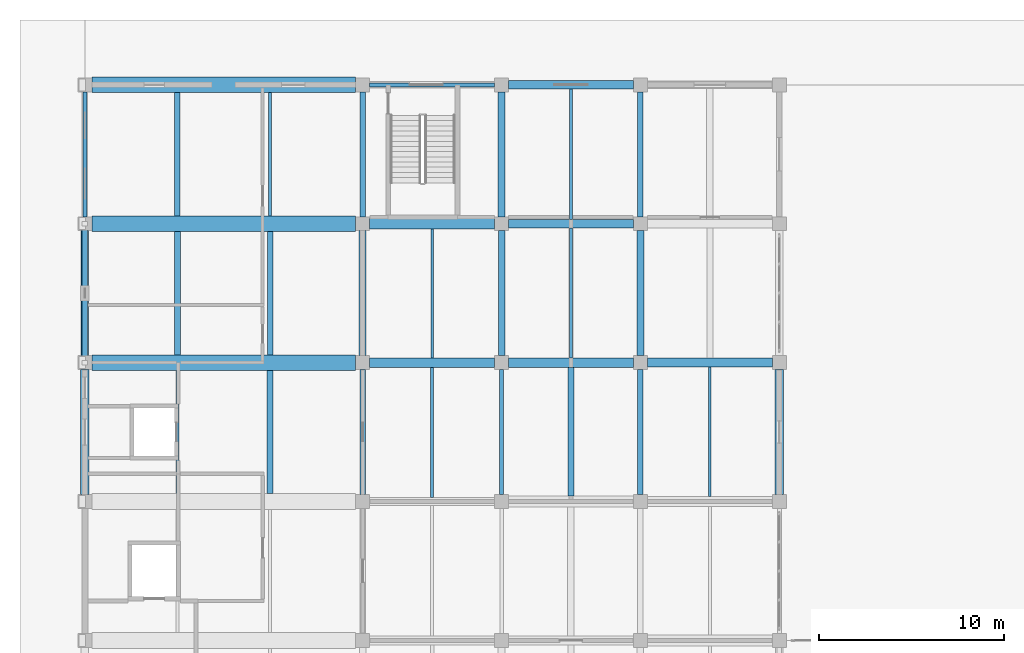
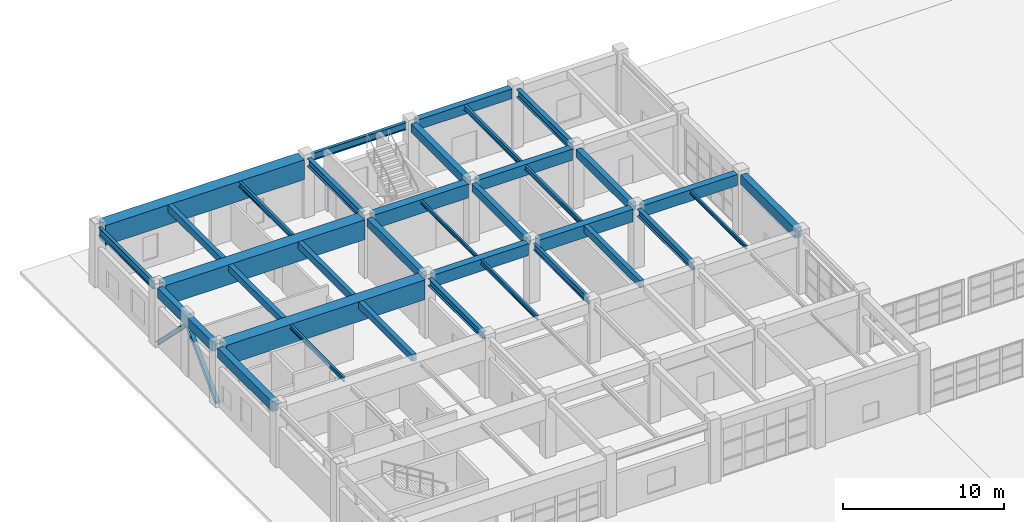
# One storey, part 41 of 122: 35 beams, 2 members.
"""IFC4 building model written with IfcOpenShell, lengths in metres."""

from ifc_helpers import new_model, si_unit, direction, frame, origin, origin_2d, place, context, subcontext, project, spatial, rectangle, i_section, extrude, material, material_profile, profile_set, type_object, element, save


model = new_model("IFC4")

# Units and contexts
model_context = context("Model", 3, precision=1e-05, world=origin(), true_north=direction((0.0, 1.0)))
body_context = subcontext(model_context, "Body", "Model", "MODEL_VIEW")
ifc_project = project(units=[si_unit("LENGTHUNIT", "METRE"), si_unit("AREAUNIT", "SQUARE_METRE"), si_unit("VOLUMEUNIT", "CUBIC_METRE"), si_unit("PLANEANGLEUNIT", "RADIAN"), si_unit("MASSUNIT", "GRAM", prefix="KILO")], contexts=[model_context])

# Site, building, storey
site_placement = place(None, origin())
site = spatial("IfcSite", under=ifc_project, at=site_placement, CompositionType="ELEMENT")
building_placement = place(site_placement, origin())
building = spatial("IfcBuilding", under=site, at=building_placement, Name="Qasida Concert Hall", CompositionType="ELEMENT")
storey_placement = place(building_placement, origin())
storey = spatial("IfcBuildingStorey", under=building, at=storey_placement, Name="L00", CompositionType="ELEMENT", Elevation=0.0)

# Beams
ifc_material_1 = material(Name="Concrete C40/50", Category="concrete")
ifc_material_profile_1 = material_profile(ifc_material_1, rectangle(XDim=0.39990234375, YDim=0.64990234375, at=origin_2d()), Name="RC 400x650")
ifc_profile_set_1 = profile_set([ifc_material_profile_1], Name="Concrete C40/50")
beam_type_1 = type_object("IfcBeamType", Name="BM-B1", PredefinedType="BEAM", material=ifc_profile_set_1)
beam_1_placement = place(storey_placement, frame((22.5, 105.375, 4.175048828125), z_axis=(0.0, 1.0, 0.0), x_axis=(-1.0, 0.0, 0.0)))
element("IfcBeam", 1, at=beam_1_placement, inside=storey, type_object=beam_type_1, Name="L00 girder 0726", PredefinedType="BEAM", context=body_context, shape_type="SweptSolid", body=[
    extrude(rectangle(XDim=0.39990234375, YDim=0.64990234375, at=origin_2d()), origin(), (0.0, 0.0, 1.0), 6.75),
])
ifc_material_profile_2 = material_profile(ifc_material_1, rectangle(XDim=0.3798828125, YDim=0.6201171875, at=origin_2d()), Name="RC 380x620")
ifc_profile_set_2 = profile_set([ifc_material_profile_2], Name="Concrete C40/50")
beam_type_2 = type_object("IfcBeamType", Name="BM-B10", PredefinedType="BEAM", material=ifc_profile_set_2)
for number, where, z_axis, x_axis, name in (
    (2, (15.0, 97.875, 4.18994140625), (0.0, 1.0, 0.0), (-1.0, 0.0, 0.0), "L00 girder 0720"),
    (3, (30.0, 97.875, 4.18994140625), (0.0, 1.0, 0.0), (-1.0, 0.0, 0.0), "L00 girder 0730"),
):
    element("IfcBeam", number, at=place(storey_placement, frame(where, z_axis=z_axis, x_axis=x_axis)), inside=storey, type_object=beam_type_2, Name=name, PredefinedType="BEAM", context=body_context, shape_type="SweptSolid", body=[
        extrude(rectangle(XDim=0.3798828125, YDim=0.6201171875, at=origin_2d()), origin(), (0.0, 0.0, 1.0), 6.75),
    ])
ifc_material_2 = material(Name="Steel S355J2", Category="steel")
ifc_material_profile_3 = material_profile(ifc_material_2, i_section(OverallWidth=0.300048828125, OverallDepth=0.550048828125, WebThickness=0.014892578125, FlangeThickness=0.029052734375, FilletRadius=0.027099609375, at=origin_2d()), Name="HEB 550")
ifc_profile_set_3 = profile_set([ifc_material_profile_3], Name="Steel S355J2")
beam_type_3 = type_object("IfcBeamType", Name="BM-B12", PredefinedType="BEAM", material=ifc_profile_set_3)
for number, where, z_axis, x_axis, name in (
    (4, (15.0, 90.375, 4.22509765625), (0.0, 1.0, 0.0), (-1.0, 0.0, 0.0), "L00 girder 0719"),
    (5, (30.0, 90.375, 4.22509765625), (0.0, 1.0, 0.0), (-1.0, 0.0, 0.0), "L00 girder 0729"),
):
    element("IfcBeam", number, at=place(storey_placement, frame(where, z_axis=z_axis, x_axis=x_axis)), inside=storey, type_object=beam_type_3, Name=name, PredefinedType="BEAM", context=body_context, shape_type="SweptSolid", body=[
        extrude(i_section(OverallWidth=0.300048828125, OverallDepth=0.550048828125, WebThickness=0.014892578125, FlangeThickness=0.029052734375, FilletRadius=0.027099609375, at=origin_2d()), origin(), (0.0, 0.0, 1.0), 6.75),
    ])
ifc_material_profile_4 = material_profile(ifc_material_1, rectangle(XDim=0.35009765625, YDim=0.60009765625, at=origin_2d()), Name="RC 350x600")
ifc_profile_set_4 = profile_set([ifc_material_profile_4], Name="Concrete C40/50")
beam_type_4 = type_object("IfcBeamType", Name="BM-B2", PredefinedType="BEAM", material=ifc_profile_set_4)
beam_2_placement = place(storey_placement, frame((22.5, 97.875, 4.199951171875), z_axis=(0.0, 1.0, 0.0), x_axis=(-1.0, 0.0, 0.0)))
element("IfcBeam", 6, at=beam_2_placement, inside=storey, type_object=beam_type_4, Name="L00 girder 0725", PredefinedType="BEAM", context=body_context, shape_type="SweptSolid", body=[
    extrude(rectangle(XDim=0.35009765625, YDim=0.60009765625, at=origin_2d()), origin(), (0.0, 0.0, 1.0), 6.75),
])
ifc_material_profile_5 = material_profile(ifc_material_2, i_section(OverallWidth=0.199951171875, OverallDepth=0.5, WebThickness=0.01025390625, FlangeThickness=0.01611328125, FilletRadius=0.02099609375, at=origin_2d()), Name="IPE 500")
ifc_profile_set_5 = profile_set([ifc_material_profile_5], Name="Steel S355J2")
beam_type_5 = type_object("IfcBeamType", Name="BM-B4", PredefinedType="BEAM", material=ifc_profile_set_5)
beam_3_placement = place(storey_placement, frame((22.5, 90.375, 4.25), z_axis=(0.0, 1.0, 0.0), x_axis=(-1.0, 0.0, 0.0)))
element("IfcBeam", 7, at=beam_3_placement, inside=storey, type_object=beam_type_5, Name="L00 girder 0724", PredefinedType="BEAM", context=body_context, shape_type="SweptSolid", body=[
    extrude(i_section(OverallWidth=0.199951171875, OverallDepth=0.5, WebThickness=0.01025390625, FlangeThickness=0.01611328125, FilletRadius=0.02099609375, at=origin_2d()), origin(), (0.0, 0.0, 1.0), 6.75),
])
ifc_material_profile_6 = material_profile(ifc_material_2, i_section(OverallWidth=0.300048828125, OverallDepth=0.60009765625, WebThickness=0.015380859375, FlangeThickness=0.030029296875, FilletRadius=0.027099609375, at=origin_2d()), Name="HEB 600")
ifc_profile_set_6 = profile_set([ifc_material_profile_6], Name="Steel S355J2")
beam_type_6 = type_object("IfcBeamType", Name="BM-B6", PredefinedType="BEAM", material=ifc_profile_set_6)
for number, where, z_axis, x_axis, name in (
    (8, (15.0, 105.375, 4.199951171875), (0.0, 1.0, 0.0), (-1.0, 0.0, 0.0), "L00 girder 0721"),
    (9, (30.0, 105.375, 4.199951171875), (0.0, 1.0, 0.0), (-1.0, 0.0, 0.0), "L00 girder 0731"),
):
    element("IfcBeam", number, at=place(storey_placement, frame(where, z_axis=z_axis, x_axis=x_axis)), inside=storey, type_object=beam_type_6, Name=name, PredefinedType="BEAM", context=body_context, shape_type="SweptSolid", body=[
        extrude(i_section(OverallWidth=0.300048828125, OverallDepth=0.60009765625, WebThickness=0.015380859375, FlangeThickness=0.030029296875, FilletRadius=0.027099609375, at=origin_2d()), origin(), (0.0, 0.0, 1.0), 6.75),
    ])
ifc_material_profile_7 = material_profile(ifc_material_1, rectangle(XDim=0.5, YDim=0.89990234375, at=origin_2d()), Name="RC 500x900")
ifc_profile_set_7 = profile_set([ifc_material_profile_7], Name="Concrete C40/50")
beam_type_7 = type_object("IfcBeamType", Name="BM-G1", PredefinedType="USERDEFINED", material=ifc_profile_set_7)
beam_4_placement = place(storey_placement, frame((15.375, 97.5, 4.050048828125), z_axis=(1.0, 0.0, 0.0), x_axis=(0.0, 1.0, 0.0)))
element("IfcBeam", 10, at=beam_4_placement, inside=storey, type_object=beam_type_7, Name="Primary girder 0701", ObjectType="GIRDER", PredefinedType="USERDEFINED", context=body_context, shape_type="SweptSolid", body=[
    extrude(rectangle(XDim=0.5, YDim=0.89990234375, at=origin_2d()), origin(), (0.0, 0.0, 1.0), 6.75),
])
ifc_material_profile_8 = material_profile(ifc_material_1, rectangle(XDim=0.47998046875, YDim=0.85009765625, at=origin_2d()), Name="RC 480x850")
ifc_profile_set_8 = profile_set([ifc_material_profile_8], Name="Concrete C40/50")
beam_type_8 = type_object("IfcBeamType", Name="BM-G6", PredefinedType="USERDEFINED", material=ifc_profile_set_8)
for number, where, z_axis, x_axis, name in (
    (11, (30.375, 97.5, 4.074951171875), (1.0, 0.0, 0.0), (0.0, 1.0, 0.0), "Primary girder 0703"),
    (12, (22.875, 105.0, 4.074951171875), (1.0, 0.0, 0.0), (0.0, 1.0, 0.0), "Primary girder 0706"),
):
    element("IfcBeam", number, at=place(storey_placement, frame(where, z_axis=z_axis, x_axis=x_axis)), inside=storey, type_object=beam_type_8, Name=name, ObjectType="GIRDER", PredefinedType="USERDEFINED", context=body_context, shape_type="SweptSolid", body=[
        extrude(rectangle(XDim=0.47998046875, YDim=0.85009765625, at=origin_2d()), origin(), (0.0, 0.0, 1.0), 6.75),
    ])
ifc_material_profile_9 = material_profile(ifc_material_1, rectangle(XDim=0.52001953125, YDim=0.949951171875, at=origin_2d()), Name="RC 520x950")
ifc_profile_set_9 = profile_set([ifc_material_profile_9], Name="Concrete C40/50")
beam_type_9 = type_object("IfcBeamType", Name="BM-G7", PredefinedType="USERDEFINED", material=ifc_profile_set_9)
beam_5_placement = place(storey_placement, frame((22.875, 97.5, 4.02490234375), z_axis=(1.0, 0.0, 0.0), x_axis=(0.0, 1.0, 0.0)))
element("IfcBeam", 13, at=beam_5_placement, inside=storey, type_object=beam_type_9, Name="Primary girder 0702", ObjectType="GIRDER", PredefinedType="USERDEFINED", context=body_context, shape_type="SweptSolid", body=[
    extrude(rectangle(XDim=0.52001953125, YDim=0.949951171875, at=origin_2d()), origin(), (0.0, 0.0, 1.0), 6.75),
])
ifc_material_3 = material(Name="Concrete C50/60", Category="concrete")
ifc_material_profile_10 = material_profile(ifc_material_3, rectangle(XDim=0.580078125, YDim=1.050048828125, at=origin_2d()), Name="RC 580x1050")
ifc_profile_set_10 = profile_set([ifc_material_profile_10], Name="Concrete C50/60")
beam_type_10 = type_object("IfcBeamType", Name="BM-G8", PredefinedType="USERDEFINED", material=ifc_profile_set_10)
beam_6_placement = place(storey_placement, frame((15.375, 105.0, 3.97509765625), z_axis=(1.0, 0.0, 0.0), x_axis=(0.0, 1.0, 0.0)))
element("IfcBeam", 14, at=beam_6_placement, inside=storey, type_object=beam_type_10, Name="Primary girder 0705", ObjectType="GIRDER", PredefinedType="USERDEFINED", context=body_context, shape_type="SweptSolid", body=[
    extrude(rectangle(XDim=0.580078125, YDim=1.050048828125, at=origin_2d()), origin(), (0.0, 0.0, 1.0), 6.75),
])
ifc_material_profile_11 = material_profile(ifc_material_1, rectangle(XDim=0.300048828125, YDim=0.550048828125, at=origin_2d()), Name="RC 300x550")
ifc_profile_set_11 = profile_set([ifc_material_profile_11], Name="Concrete C40/50")
beam_type_11 = type_object("IfcBeamType", Name="BM-J1", PredefinedType="JOIST", material=ifc_profile_set_11)
for number, where, z_axis, x_axis, name in (
    (15, (10.0, 97.925048828125, 4.22509765625), (0.0, 1.0, 0.0), (-1.0, 0.0, 0.0), "L00 secondary joist 0743"),
    (16, (5.0, 105.425048828125, 4.22509765625), (0.0, 1.0, 0.0), (-1.0, 0.0, 0.0), "L00 secondary joist 0744"),
):
    element("IfcBeam", number, at=place(storey_placement, frame(where, z_axis=z_axis, x_axis=x_axis)), inside=storey, type_object=beam_type_11, Name=name, PredefinedType="JOIST", context=body_context, shape_type="SweptSolid", body=[
        extrude(rectangle(XDim=0.300048828125, YDim=0.550048828125, at=origin_2d()), origin(), (0.0, 0.0, 1.0), 6.64990234375),
    ])
beam_7_placement = place(storey_placement, frame((26.25, 90.2900390625, 4.22509765625), z_axis=(0.0, 1.0, 0.0), x_axis=(-1.0, 0.0, 0.0)))
element("IfcBeam", 17, at=beam_7_placement, inside=storey, type_object=beam_type_11, Name="L00 secondary joist 0752", PredefinedType="JOIST", context=body_context, shape_type="SweptSolid", body=[
    extrude(rectangle(XDim=0.300048828125, YDim=0.550048828125, at=origin_2d()), origin(), (0.0, 0.0, 1.0), 6.949951171875),
])
ifc_material_profile_12 = material_profile(ifc_material_2, i_section(OverallWidth=0.169921875, OverallDepth=0.360107421875, WebThickness=0.008056640625, FlangeThickness=0.0126953125, FilletRadius=0.01806640625, at=origin_2d()), Name="IPE 360")
ifc_profile_set_12 = profile_set([ifc_material_profile_12], Name="Steel S355J2")
beam_type_12 = type_object("IfcBeamType", Name="BM-J2", PredefinedType="JOIST", material=ifc_profile_set_12)
beam_8_placement = place(storey_placement, frame((26.25, 97.760009765625, 4.320068359375), z_axis=(0.0, 1.0, 0.0), x_axis=(-1.0, 0.0, 0.0)))
element("IfcBeam", 18, at=beam_8_placement, inside=storey, type_object=beam_type_12, Name="L00 secondary joist 0753", PredefinedType="JOIST", context=body_context, shape_type="SweptSolid", body=[
    extrude(i_section(OverallWidth=0.169921875, OverallDepth=0.360107421875, WebThickness=0.008056640625, FlangeThickness=0.0126953125, FilletRadius=0.01806640625, at=origin_2d()), origin(), (0.0, 0.0, 1.0), 7.0),
])
ifc_material_profile_13 = material_profile(ifc_material_2, i_section(OverallWidth=0.179931640625, OverallDepth=0.39990234375, WebThickness=0.008544921875, FlangeThickness=0.013427734375, FilletRadius=0.02099609375, at=origin_2d()), Name="IPE 400")
ifc_profile_set_13 = profile_set([ifc_material_profile_13], Name="Steel S355J2")
beam_type_13 = type_object("IfcBeamType", Name="BM-J3", PredefinedType="JOIST", material=ifc_profile_set_13)
beam_9_placement = place(storey_placement, frame((10.0, 105.425048828125, 4.300048828125), z_axis=(0.0, 1.0, 0.0), x_axis=(-1.0, 0.0, 0.0)))
element("IfcBeam", 19, at=beam_9_placement, inside=storey, type_object=beam_type_13, Name="L00 secondary joist 0745", PredefinedType="JOIST", context=body_context, shape_type="SweptSolid", body=[
    extrude(i_section(OverallWidth=0.179931640625, OverallDepth=0.39990234375, WebThickness=0.008544921875, FlangeThickness=0.013427734375, FilletRadius=0.02099609375, at=origin_2d()), origin(), (0.0, 0.0, 1.0), 6.64990234375),
])
beam_10_placement = place(storey_placement, frame((26.25, 105.239990234375, 4.300048828125), z_axis=(0.0, 1.0, 0.0), x_axis=(-1.0, 0.0, 0.0)))
element("IfcBeam", 20, at=beam_10_placement, inside=storey, type_object=beam_type_13, Name="L00 secondary joist 0754", PredefinedType="JOIST", context=body_context, shape_type="SweptSolid", body=[
    extrude(i_section(OverallWidth=0.179931640625, OverallDepth=0.39990234375, WebThickness=0.008544921875, FlangeThickness=0.013427734375, FilletRadius=0.02099609375, at=origin_2d()), origin(), (0.0, 0.0, 1.0), 7.034912109375),
])
ifc_material_profile_14 = material_profile(ifc_material_2, i_section(OverallWidth=0.159912109375, OverallDepth=0.330078125, WebThickness=0.007568359375, FlangeThickness=0.011474609375, FilletRadius=0.01806640625, at=origin_2d()), Name="IPE 330")
ifc_profile_set_14 = profile_set([ifc_material_profile_14], Name="Steel S355J2")
beam_type_14 = type_object("IfcBeamType", Name="BM-J5", PredefinedType="JOIST", material=ifc_profile_set_14)
beam_11_placement = place(storey_placement, frame((5.0, 90.425048828125, 4.3349609375), z_axis=(0.0, 1.0, 0.0), x_axis=(-1.0, 0.0, 0.0)))
element("IfcBeam", 21, at=beam_11_placement, inside=storey, type_object=beam_type_14, Name="L00 secondary joist 0740", PredefinedType="JOIST", context=body_context, shape_type="SweptSolid", body=[
    extrude(i_section(OverallWidth=0.159912109375, OverallDepth=0.330078125, WebThickness=0.007568359375, FlangeThickness=0.011474609375, FilletRadius=0.01806640625, at=origin_2d()), origin(), (0.0, 0.0, 1.0), 6.64990234375),
])
beam_12_placement = place(storey_placement, frame((18.75, 90.22509765625, 4.3349609375), z_axis=(0.0, 1.0, 0.0), x_axis=(-1.0, 0.0, 0.0)))
element("IfcBeam", 22, at=beam_12_placement, inside=storey, type_object=beam_type_14, Name="L00 secondary joist 0748", PredefinedType="JOIST", context=body_context, shape_type="SweptSolid", body=[
    extrude(i_section(OverallWidth=0.159912109375, OverallDepth=0.330078125, WebThickness=0.007568359375, FlangeThickness=0.011474609375, FilletRadius=0.01806640625, at=origin_2d()), origin(), (0.0, 0.0, 1.0), 7.02490234375),
])
ifc_material_profile_15 = material_profile(ifc_material_2, i_section(OverallWidth=0.135009765625, OverallDepth=0.27001953125, WebThickness=0.006591796875, FlangeThickness=0.01025390625, FilletRadius=0.014892578125, at=origin_2d()), Name="IPE 270")
ifc_profile_set_15 = profile_set([ifc_material_profile_15], Name="Steel S355J2")
beam_type_15 = type_object("IfcBeamType", Name="BM-J6", PredefinedType="JOIST", material=ifc_profile_set_15)
beam_13_placement = place(storey_placement, frame((18.75, 97.75, 4.364990234375), z_axis=(0.0, 1.0, 0.0), x_axis=(-1.0, 0.0, 0.0)))
element("IfcBeam", 23, at=beam_13_placement, inside=storey, type_object=beam_type_15, Name="L00 secondary joist 0749", PredefinedType="JOIST", context=body_context, shape_type="SweptSolid", body=[
    extrude(i_section(OverallWidth=0.135009765625, OverallDepth=0.27001953125, WebThickness=0.006591796875, FlangeThickness=0.01025390625, FilletRadius=0.014892578125, at=origin_2d()), origin(), (0.0, 0.0, 1.0), 6.9599609375),
])
beam_14_placement = place(storey_placement, frame((33.75, 90.260009765625, 4.364990234375), z_axis=(0.0, 1.0, 0.0), x_axis=(-1.0, 0.0, 0.0)))
element("IfcBeam", 24, at=beam_14_placement, inside=storey, type_object=beam_type_15, Name="L00 secondary joist 0757", PredefinedType="JOIST", context=body_context, shape_type="SweptSolid", body=[
    extrude(i_section(OverallWidth=0.135009765625, OverallDepth=0.27001953125, WebThickness=0.006591796875, FlangeThickness=0.01025390625, FilletRadius=0.014892578125, at=origin_2d()), origin(), (0.0, 0.0, 1.0), 7.0),
])
ifc_material_profile_16 = material_profile(ifc_material_1, rectangle(XDim=0.320068359375, YDim=0.5, at=origin_2d()), Name="RC 320x500")
ifc_profile_set_16 = profile_set([ifc_material_profile_16], Name="Concrete C40/50")
beam_type_16 = type_object("IfcBeamType", Name="BM-J7", PredefinedType="JOIST", material=ifc_profile_set_16)
for number, where, z_axis, x_axis, name in (
    (25, (10.0, 90.425048828125, 4.25), (0.0, 1.0, 0.0), (-1.0, 0.0, 0.0), "L00 secondary joist 0741"),
    (26, (5.0, 97.925048828125, 4.25), (0.0, 1.0, 0.0), (-1.0, 0.0, 0.0), "L00 secondary joist 0742"),
):
    element("IfcBeam", number, at=place(storey_placement, frame(where, z_axis=z_axis, x_axis=x_axis)), inside=storey, type_object=beam_type_16, Name=name, PredefinedType="JOIST", context=body_context, shape_type="SweptSolid", body=[
        extrude(rectangle(XDim=0.320068359375, YDim=0.5, at=origin_2d()), origin(), (0.0, 0.0, 1.0), 6.64990234375),
    ])
ifc_material_profile_17 = material_profile(ifc_material_1, rectangle(XDim=0.39990234375, YDim=0.75, at=origin_2d()), Name="RC 400x750")
ifc_profile_set_17 = profile_set([ifc_material_profile_17], Name="Concrete C40/50")
beam_type_17 = type_object("IfcBeamType", Name="BM-SP1", PredefinedType="SPANDREL", material=ifc_profile_set_17)
beam_15_placement = place(storey_placement, frame((0.0, 97.875, 4.125), z_axis=(0.0, 1.0, 0.0), x_axis=(-1.0, 0.0, 0.0)))
element("IfcBeam", 27, at=beam_15_placement, inside=storey, type_object=beam_type_17, Name="L00 girder 0715", PredefinedType="SPANDREL", context=body_context, shape_type="SweptSolid", body=[
    extrude(rectangle(XDim=0.39990234375, YDim=0.75, at=origin_2d()), origin(), (0.0, 0.0, 1.0), 6.75),
])
ifc_material_profile_18 = material_profile(ifc_material_2, i_section(OverallWidth=0.2099609375, OverallDepth=0.550048828125, WebThickness=0.010986328125, FlangeThickness=0.01708984375, FilletRadius=0.02392578125, at=origin_2d()), Name="IPE 550")
ifc_profile_set_18 = profile_set([ifc_material_profile_18], Name="Steel S355J2")
beam_type_18 = type_object("IfcBeamType", Name="BM-SP2", PredefinedType="SPANDREL", material=ifc_profile_set_18)
beam_16_placement = place(storey_placement, frame((15.375, 112.5, 4.22509765625), z_axis=(1.0, 0.0, 0.0), x_axis=(0.0, 1.0, 0.0)))
element("IfcBeam", 28, at=beam_16_placement, inside=storey, type_object=beam_type_18, Name="Primary girder 0709", PredefinedType="SPANDREL", context=body_context, shape_type="SweptSolid", body=[
    extrude(i_section(OverallWidth=0.2099609375, OverallDepth=0.550048828125, WebThickness=0.010986328125, FlangeThickness=0.01708984375, FilletRadius=0.02392578125, at=origin_2d()), origin(), (0.0, 0.0, 1.0), 6.75),
])
ifc_material_profile_19 = material_profile(ifc_material_2, i_section(OverallWidth=0.219970703125, OverallDepth=0.60009765625, WebThickness=0.011962890625, FlangeThickness=0.01904296875, FilletRadius=0.02392578125, at=origin_2d()), Name="IPE 600")
ifc_profile_set_19 = profile_set([ifc_material_profile_19], Name="Steel S355J2")
beam_type_19 = type_object("IfcBeamType", Name="BM-SP3", PredefinedType="SPANDREL", material=ifc_profile_set_19)
beam_17_placement = place(storey_placement, frame((0.0, 105.375, 4.199951171875), z_axis=(0.0, 1.0, 0.0), x_axis=(-1.0, 0.0, 0.0)))
element("IfcBeam", 29, at=beam_17_placement, inside=storey, type_object=beam_type_19, Name="L00 girder 0716", PredefinedType="SPANDREL", context=body_context, shape_type="SweptSolid", body=[
    extrude(i_section(OverallWidth=0.219970703125, OverallDepth=0.60009765625, WebThickness=0.011962890625, FlangeThickness=0.01904296875, FilletRadius=0.02392578125, at=origin_2d()), origin(), (0.0, 0.0, 1.0), 6.75),
])
ifc_material_profile_20 = material_profile(ifc_material_1, rectangle(XDim=0.449951171875, YDim=0.75, at=origin_2d()), Name="RC 450x750")
ifc_profile_set_20 = profile_set([ifc_material_profile_20], Name="Concrete C40/50")
beam_type_20 = type_object("IfcBeamType", Name="BM-SP4", PredefinedType="SPANDREL", material=ifc_profile_set_20)
for number, where, z_axis, x_axis, name in (
    (30, (22.875, 112.5, 4.125), (1.0, 0.0, 0.0), (0.0, 1.0, 0.0), "Primary girder 0710"),
    (31, (0.0, 90.375, 4.125), (0.0, 1.0, 0.0), (-1.0, 0.0, 0.0), "L00 girder 0714"),
    (32, (37.5, 90.375, 4.125), (0.0, 1.0, 0.0), (-1.0, 0.0, 0.0), "L00 girder 0734"),
):
    element("IfcBeam", number, at=place(storey_placement, frame(where, z_axis=z_axis, x_axis=x_axis)), inside=storey, type_object=beam_type_20, Name=name, PredefinedType="SPANDREL", context=body_context, shape_type="SweptSolid", body=[
        extrude(rectangle(XDim=0.449951171875, YDim=0.75, at=origin_2d()), origin(), (0.0, 0.0, 1.0), 6.75),
    ])
ifc_material_profile_21 = material_profile(ifc_material_3, rectangle(XDim=0.85009765625, YDim=1.5, at=origin_2d()), Name="RC 850x1500")
ifc_profile_set_21 = profile_set([ifc_material_profile_21], Name="Concrete C50/60")
beam_type_21 = type_object("IfcBeamType", Name="BM-TG2", PredefinedType="USERDEFINED", material=ifc_profile_set_21)
for number, where, z_axis, x_axis, name in (
    (33, (0.375, 97.5, 3.75), (1.0, 0.0, 0.0), (0.0, 1.0, 0.0), "Transfer girder TG-0700"),
    (34, (0.375, 105.0, 3.75), (1.0, 0.0, 0.0), (0.0, 1.0, 0.0), "Transfer girder TG-0704"),
    (35, (0.375, 112.5, 3.75), (1.0, 0.0, 0.0), (0.0, 1.0, 0.0), "Transfer girder TG-0708"),
):
    element("IfcBeam", number, at=place(storey_placement, frame(where, z_axis=z_axis, x_axis=x_axis)), inside=storey, type_object=beam_type_21, Name=name, ObjectType="GIRDER", PredefinedType="USERDEFINED", context=body_context, shape_type="SweptSolid", body=[
        extrude(rectangle(XDim=0.85009765625, YDim=1.5, at=origin_2d()), origin(), (0.0, 0.0, 1.0), 14.25),
    ])

# Members
ifc_material_profile_22 = material_profile(ifc_material_2, i_section(OverallWidth=0.280029296875, OverallDepth=0.27001953125, WebThickness=0.008056640625, FlangeThickness=0.012939453125, FilletRadius=0.02392578125, at=origin_2d()), Name="HEA 280")
ifc_profile_set_22 = profile_set([ifc_material_profile_22], Name="Steel S355J2")
member_type = type_object("IfcMemberType", Name="MB-BR3", PredefinedType="BRACE", material=ifc_profile_set_22)
for number, where, z_axis, x_axis, name in (
    (36, (0.0, 97.5, 0.0), (0.0, 0.707106781187, 0.707106781187), (-1.0, 0.0, 0.0), "L00 chevron brace CBF-0057"),
    (37, (0.0, 105.0, 0.0), (0.0, -0.707106781187, 0.707106781187), (1.0, 0.0, 0.0), "L00 chevron brace CBF-0058"),
):
    element("IfcMember", number, at=place(storey_placement, frame(where, z_axis=z_axis, x_axis=x_axis)), inside=storey, type_object=member_type, Name=name, PredefinedType="BRACE", context=body_context, shape_type="SweptSolid", body=[
        extrude(i_section(OverallWidth=0.280029296875, OverallDepth=0.27001953125, WebThickness=0.008056640625, FlangeThickness=0.012939453125, FilletRadius=0.02392578125, at=origin_2d()), origin(), (0.0, 0.0, 1.0), 5.30322265625),
    ])

save(model, "model.ifc")
